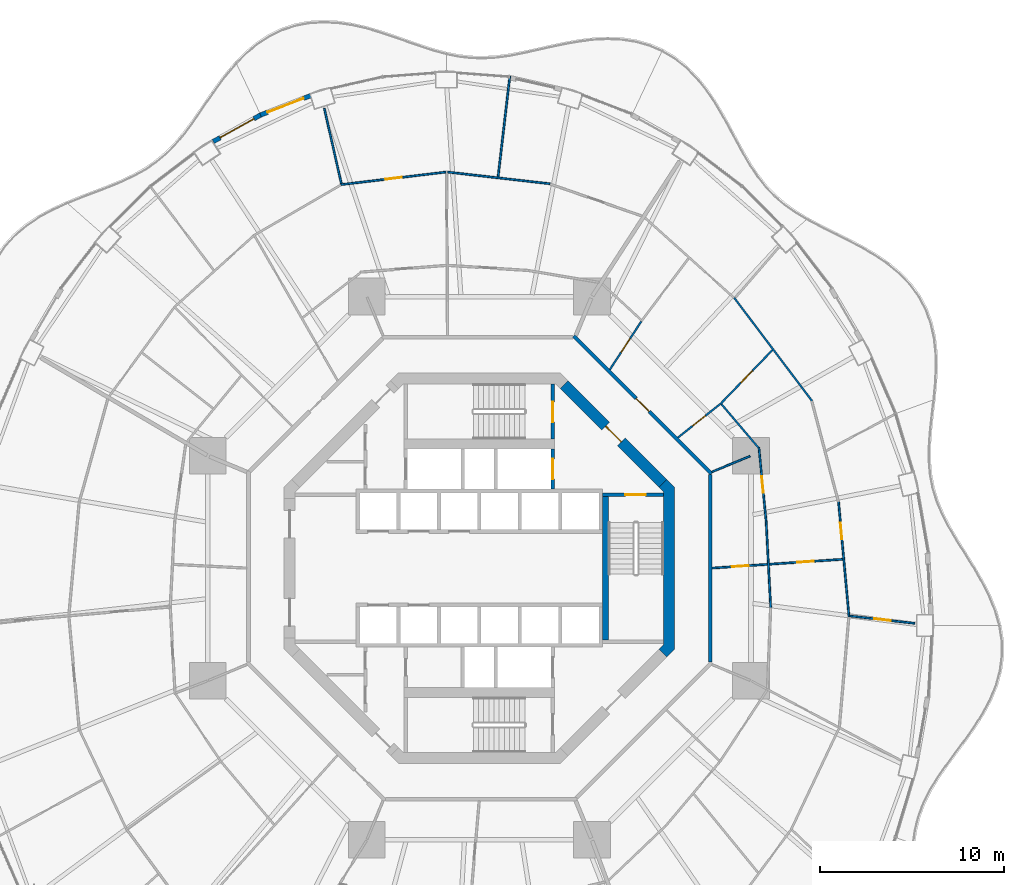
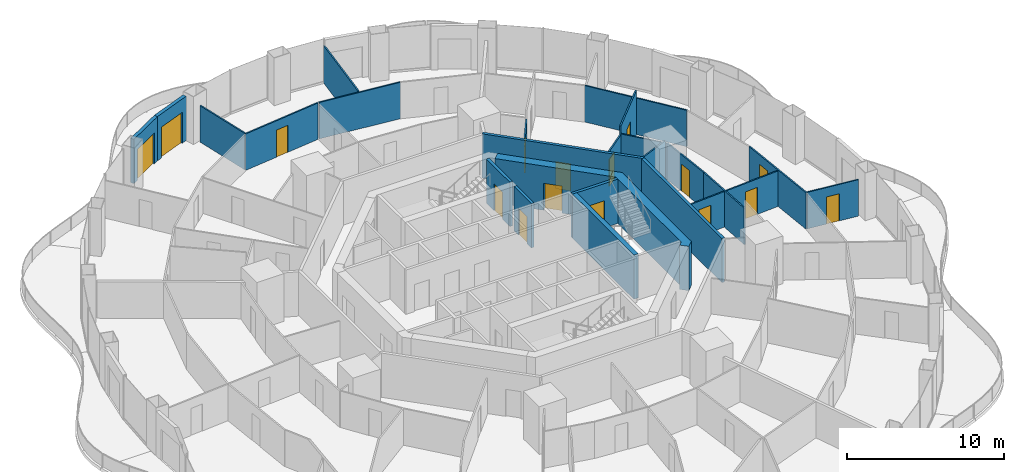
# One storey, part 15 of 19: 25 walls, 16 doors, 16 openings.
"""IFC4 building model written with IfcOpenShell, lengths in metres."""

from ifc_helpers import new_model, si_unit, direction, frame, frame_2d, origin, place, context, subcontext, project, spatial, polyline, rectangle, outline, extrude, material, layer, layer_set, type_object, element, fill, save


model = new_model("IFC4")

# Units and contexts
model_context = context("Model", 3, precision=1e-05, world=origin(), true_north=direction((0.0, 1.0)))
body_context = subcontext(model_context, "Body", "Model", "MODEL_VIEW")
ifc_project = project(units=[si_unit("LENGTHUNIT", "METRE"), si_unit("AREAUNIT", "SQUARE_METRE"), si_unit("VOLUMEUNIT", "CUBIC_METRE"), si_unit("PLANEANGLEUNIT", "RADIAN"), si_unit("MASSUNIT", "GRAM", prefix="KILO")], contexts=[model_context])

# Site, building, storey
site_placement = place(None, origin())
site = spatial("IfcSite", under=ifc_project, at=site_placement, CompositionType="ELEMENT")
building_placement = place(site_placement, origin())
building = spatial("IfcBuilding", under=site, at=building_placement, Name="Nagisa Residences", CompositionType="ELEMENT")
storey_placement = place(building_placement, frame((0.0, 0.0, 127.0)))
storey = spatial("IfcBuildingStorey", under=building, at=storey_placement, Name="L31", CompositionType="ELEMENT", Elevation=127.0)

# Wall
ifc_material_1 = material(Name="Gypsum board on steel studs", Category="steel")
ifc_layer_1 = layer(ifc_material_1, 0.199951171875)
ifc_layer_set_1 = layer_set([ifc_layer_1], Name="Apartment entry wall EI60 200")
wall_type_1 = type_object("IfcWallType", Name="Apartment entry wall EI60 200", PredefinedType="PARTITIONING", material=ifc_layer_set_1)
wall_1_placement = place(storey_placement, frame((12.564697265625, -5.1044921875, 0.0), z_axis=(0.0, 0.0, 1.0), x_axis=(0.0, 1.0, 0.0)))
element("IfcWall", 1, at=wall_1_placement, inside=storey, type_object=wall_type_1, Name="wall:L31:u06", PredefinedType="PARTITIONING", context=body_context, shape_type="SweptSolid", body=[
    extrude(rectangle(XDim=10.208984375, YDim=0.199951171875, at=frame_2d((5.1044921875, 0.0))), origin(), (0.0, 0.0, 1.0), 3.43994140625),
])

# Wall, opening, door
wall_2_placement = place(storey_placement, frame((12.635498046875, 5.1337890625, 0.0), z_axis=(0.0, 0.0, 1.0), x_axis=(-0.707106781187, 0.707106781187, 0.0)))
wall_2 = element("IfcWall", 2, at=wall_2_placement, inside=storey, type_object=wall_type_1, Name="wall:L31:u07", PredefinedType="PARTITIONING", context=body_context, shape_type="SweptSolid", body=[
    extrude(rectangle(XDim=10.609130859375, YDim=0.199951171875, at=frame_2d((5.3046875, 0.0))), origin(), (0.0, 0.0, 1.0), 3.43994140625),
])
opening_1_placement = place(wall_2_placement, frame((4.804443359375, 0.0, 0.0)))
opening_1 = element("IfcOpeningElement", 3, at=opening_1_placement, cuts=wall_2, Name="Opening L31-U35", PredefinedType="OPENING", context=body_context, shape_type="SweptSolid", body=[
    extrude(rectangle(XDim=1.0, YDim=2.10009765625, at=frame_2d((0.5, 1.050048828125))), frame((0.0, 0.10986328125, 0.0), z_axis=(0.0, -1.0, 0.0), x_axis=(1.0, 0.0, 0.0)), (0.0, 0.0, 1.0), 0.219970703125),
])
ifc_material_2 = material(Name="Timber fire door set", Category="wood")
door_type_1 = type_object("IfcDoorType", Name="Apartment entry door FD30S 1000x2100", OperationType="NOTDEFINED", PredefinedType="DOOR", material=ifc_material_2)
door_1_placement = place(opening_1_placement, frame((1.0, 0.0, 0.0), x_axis=(-1.0, 0.0, 0.0)))
door_1 = element("IfcDoor", 4, at=door_1_placement, inside=storey, type_object=door_type_1, Name="Entry door, Apartment 31C", OperationType="SINGLE_SWING_RIGHT", OverallHeight=2.10009765625, OverallWidth=1.0, PredefinedType="DOOR", context=body_context, shape_type="SweptSolid", body=[
    extrude(rectangle(XDim=1.0, YDim=2.10009765625, at=frame_2d((0.5, 1.050048828125))), frame((0.0, 0.02490234375, 0.0), z_axis=(0.0, -1.0, 0.0), x_axis=(1.0, 0.0, 0.0)), (0.0, 0.0, 1.0), 0.050048828125),
])
fill(opening_1, door_1)

# Wall
ifc_material_3 = material(Name="Gypsum board on steel studs", Category="steel")
ifc_layer_2 = layer(ifc_material_3, 0.10009765625)
ifc_layer_set_2 = layer_set([ifc_layer_2], Name="Apartment partition 100")
wall_type_2 = type_object("IfcWallType", Name="Apartment partition 100", PredefinedType="PARTITIONING", material=ifc_layer_set_2)
wall_3_placement = place(storey_placement, frame((15.853271484375, -2.158203125, 0.0), z_axis=(0.0, 0.0, 1.0), x_axis=(-0.052483289253, 0.99862180246, 0.0)))
element("IfcWall", 5, at=wall_3_placement, inside=storey, type_object=wall_type_2, Name="wall:L31:u14", PredefinedType="PARTITIONING", context=body_context, shape_type="SweptSolid", body=[
    extrude(rectangle(XDim=4.74951171875, YDim=0.10009765625, at=frame_2d((2.374755859375, 0.0))), origin(), (0.0, 0.0, 1.0), 2.827880859375),
])

# Wall, opening, door
wall_4_placement = place(storey_placement, frame((20.159912109375, -2.597900390625, 0.0), z_axis=(0.0, 0.0, 1.0), x_axis=(0.993610673305, -0.112861994911, 0.0)))
wall_4 = element("IfcWall", 6, at=wall_4_placement, inside=storey, type_object=wall_type_2, Name="wall:L31:u16", PredefinedType="PARTITIONING", context=body_context, shape_type="SweptSolid", body=[
    extrude(rectangle(XDim=3.560546875, YDim=0.10009765625, at=frame_2d((1.7802734375, 0.0))), origin(), (0.0, 0.0, 1.0), 2.827880859375),
])
opening_2_placement = place(wall_4_placement, frame((1.330322265625, 0.0, 0.0)))
opening_2 = element("IfcOpeningElement", 7, at=opening_2_placement, cuts=wall_4, Name="Opening L31-U45", PredefinedType="OPENING", context=body_context, shape_type="SweptSolid", body=[
    extrude(rectangle(XDim=0.89990234375, YDim=2.10009765625, at=frame_2d((0.449951171875, 1.050048828125))), frame((0.0, 0.06005859375, 0.0), z_axis=(0.0, -1.0, 0.0), x_axis=(1.0, 0.0, 0.0)), (0.0, 0.0, 1.0), 0.1201171875),
])
ifc_material_4 = material(Name="Timber door set", Category="wood")
door_type_2 = type_object("IfcDoorType", Name="Apartment door 900x2100", OperationType="NOTDEFINED", PredefinedType="DOOR", material=ifc_material_4)
door_2_placement = place(opening_2_placement, frame((0.89990234375, 0.0, 0.0), x_axis=(-1.0, 0.0, 0.0)))
door_2 = element("IfcDoor", 8, at=door_2_placement, inside=storey, type_object=door_type_2, Name="Door to living room, Apartment 31C", OperationType="SINGLE_SWING_RIGHT", OverallHeight=2.10009765625, OverallWidth=0.89990234375, PredefinedType="DOOR", context=body_context, shape_type="SweptSolid", body=[
    extrude(rectangle(XDim=0.89990234375, YDim=2.10009765625, at=frame_2d((0.449951171875, 1.050048828125))), frame((0.0, 0.02490234375, 0.0), z_axis=(0.0, -1.0, 0.0), x_axis=(1.0, 0.0, 0.0)), (0.0, 0.0, 1.0), 0.050048828125),
])
fill(opening_2, door_2)

wall_5_placement = place(storey_placement, frame((20.11474609375, -2.64208984375, 0.0), z_axis=(0.0, 0.0, 1.0), x_axis=(-0.090563746294, 0.995890660593, 0.0)))
wall_5 = element("IfcWall", 9, at=wall_5_placement, inside=storey, type_object=wall_type_2, Name="wall:L31:u17", PredefinedType="PARTITIONING", context=body_context, shape_type="SweptSolid", body=[
    extrude(rectangle(XDim=6.289306640625, YDim=0.10009765625, at=frame_2d((3.14453125, 0.0))), origin(), (0.0, 0.0, 1.0), 2.827880859375),
])
opening_3_placement = place(wall_5_placement, frame((4.241943359375, 0.0, 0.0)))
opening_3 = element("IfcOpeningElement", 10, at=opening_3_placement, cuts=wall_5, Name="Opening L31-U40", PredefinedType="OPENING", context=body_context, shape_type="SweptSolid", body=[
    extrude(rectangle(XDim=0.89990234375, YDim=2.10009765625, at=frame_2d((0.449951171875, 1.050048828125))), frame((0.0, 0.06005859375, 0.0), z_axis=(0.0, -1.0, 0.0), x_axis=(1.0, 0.0, 0.0)), (0.0, 0.0, 1.0), 0.1201171875),
])
door_3_placement = place(opening_3_placement, frame((0.89990234375, 0.0, 0.0), x_axis=(-1.0, 0.0, 0.0)))
door_3 = element("IfcDoor", 11, at=door_3_placement, inside=storey, type_object=door_type_2, Name="Door to dining room, Apartment 31C", OperationType="SINGLE_SWING_LEFT", OverallHeight=2.10009765625, OverallWidth=0.89990234375, PredefinedType="DOOR", context=body_context, shape_type="SweptSolid", body=[
    extrude(rectangle(XDim=0.89990234375, YDim=2.10009765625, at=frame_2d((0.449951171875, 1.050048828125))), frame((0.0, 0.02490234375, 0.0), z_axis=(0.0, -1.0, 0.0), x_axis=(1.0, 0.0, 0.0)), (0.0, 0.0, 1.0), 0.050048828125),
])
fill(opening_3, door_3)

# Wall, openings, doors
wall_6_placement = place(storey_placement, frame((12.66455078125, 0.0068359375, 0.0), z_axis=(0.0, 0.0, 1.0), x_axis=(0.997737186236, 0.067234717233, 0.0)))
wall_6 = element("IfcWall", 12, at=wall_6_placement, inside=storey, type_object=wall_type_2, Name="wall:L31:u19", PredefinedType="PARTITIONING", context=body_context, shape_type="SweptSolid", body=[
    extrude(rectangle(XDim=7.131591796875, YDim=0.10009765625, at=frame_2d((3.56591796875, 0.0))), origin(), (0.0, 0.0, 1.0), 2.756103515625),
])
opening_4_placement = place(wall_6_placement, frame((4.6513671875, 0.0, 0.0)))
opening_4 = element("IfcOpeningElement", 13, at=opening_4_placement, cuts=wall_6, Name="Opening L31-U44", PredefinedType="OPENING", context=body_context, shape_type="SweptSolid", body=[
    extrude(rectangle(XDim=0.89990234375, YDim=2.10009765625, at=frame_2d((0.449951171875, 1.050048828125))), frame((0.0, 0.06005859375, 0.0), z_axis=(0.0, -1.0, 0.0), x_axis=(1.0, 0.0, 0.0)), (0.0, 0.0, 1.0), 0.1201171875),
])
opening_5_placement = place(wall_6_placement, frame((1.08544921875, 0.0, 0.0)))
opening_5 = element("IfcOpeningElement", 14, at=opening_5_placement, cuts=wall_6, Name="Opening L31-U46", PredefinedType="OPENING", context=body_context, shape_type="SweptSolid", body=[
    extrude(rectangle(XDim=0.89990234375, YDim=2.10009765625, at=frame_2d((0.449951171875, 1.050048828125))), frame((0.0, 0.06005859375, 0.0), z_axis=(0.0, -1.0, 0.0), x_axis=(1.0, 0.0, 0.0)), (0.0, 0.0, 1.0), 0.1201171875),
])
door_4_placement = place(opening_4_placement, frame((0.89990234375, 0.0, 0.0), x_axis=(-1.0, 0.0, 0.0)))
door_4 = element("IfcDoor", 15, at=door_4_placement, inside=storey, type_object=door_type_2, Name="Door to study, Apartment 31C", OperationType="SINGLE_SWING_LEFT", OverallHeight=2.10009765625, OverallWidth=0.89990234375, PredefinedType="DOOR", context=body_context, shape_type="SweptSolid", body=[
    extrude(rectangle(XDim=0.89990234375, YDim=2.10009765625, at=frame_2d((0.449951171875, 1.050048828125))), frame((0.0, 0.02490234375, 0.0), z_axis=(0.0, -1.0, 0.0), x_axis=(1.0, 0.0, 0.0)), (0.0, 0.0, 1.0), 0.050048828125),
])
fill(opening_4, door_4)
door_5_placement = place(opening_5_placement, frame((0.89990234375, 0.0, 0.0), x_axis=(-1.0, 0.0, 0.0)))
door_5 = element("IfcDoor", 16, at=door_5_placement, inside=storey, type_object=door_type_2, Name="Door to store, Apartment 31C", OperationType="SINGLE_SWING_LEFT", OverallHeight=2.10009765625, OverallWidth=0.89990234375, PredefinedType="DOOR", context=body_context, shape_type="SweptSolid", body=[
    extrude(rectangle(XDim=0.89990234375, YDim=2.10009765625, at=frame_2d((0.449951171875, 1.050048828125))), frame((0.0, 0.02490234375, 0.0), z_axis=(0.0, -1.0, 0.0), x_axis=(1.0, 0.0, 0.0)), (0.0, 0.0, 1.0), 0.050048828125),
])
fill(opening_5, door_5)

# Wall, opening, door
wall_7_placement = place(storey_placement, frame((15.601806640625, 2.58447265625, 0.0), z_axis=(0.0, 0.0, 1.0), x_axis=(-0.097216297846, 0.995263277446, 0.0)))
wall_7 = element("IfcWall", 17, at=wall_7_placement, inside=storey, type_object=wall_type_2, Name="wall:L31:u20", PredefinedType="PARTITIONING", context=body_context, shape_type="SweptSolid", body=[
    extrude(rectangle(XDim=4.005615234375, YDim=0.10009765625, at=frame_2d((2.0029296875, 0.0))), origin(), (0.0, 0.0, 1.0), 2.827880859375),
])
opening_6_placement = place(wall_7_placement, frame((1.52783203125, 0.0, 0.0)))
opening_6 = element("IfcOpeningElement", 18, at=opening_6_placement, cuts=wall_7, Name="Opening L31-U43", PredefinedType="OPENING", context=body_context, shape_type="SweptSolid", body=[
    extrude(rectangle(XDim=0.89990234375, YDim=2.10009765625, at=frame_2d((0.449951171875, 1.050048828125))), frame((0.0, 0.06005859375, 0.0), z_axis=(0.0, -1.0, 0.0), x_axis=(1.0, 0.0, 0.0)), (0.0, 0.0, 1.0), 0.1201171875),
])
door_6_placement = place(opening_6_placement, origin())
door_6 = element("IfcDoor", 19, at=door_6_placement, inside=storey, type_object=door_type_2, Name="Door to laundry, Apartment 31C", OperationType="SINGLE_SWING_LEFT", OverallHeight=2.10009765625, OverallWidth=0.89990234375, PredefinedType="DOOR", context=body_context, shape_type="SweptSolid", body=[
    extrude(rectangle(XDim=0.89990234375, YDim=2.10009765625, at=frame_2d((0.449951171875, 1.050048828125))), frame((0.0, 0.02490234375, 0.0), z_axis=(0.0, -1.0, 0.0), x_axis=(1.0, 0.0, 0.0)), (0.0, 0.0, 1.0), 0.050048828125),
])
fill(opening_6, door_6)

# Walls
wall_8_placement = place(storey_placement, frame((12.6572265625, 5.24267578125, 0.0), z_axis=(0.0, 0.0, 1.0), x_axis=(0.923864733477, 0.382719158442, 0.0)))
element("IfcWall", 20, at=wall_8_placement, inside=storey, type_object=wall_type_2, Name="wall:L31:u23", PredefinedType="PARTITIONING", context=body_context, shape_type="SweptSolid", body=[
    extrude(rectangle(XDim=2.25, YDim=0.10009765625, at=frame_2d((1.125, 0.0))), origin(), (0.0, 0.0, 1.0), 3.43994140625),
])
wall_9_placement = place(storey_placement, frame((15.184814453125, 6.559326171875, 0.0), z_axis=(0.0, 0.0, 1.0), x_axis=(-0.647360926376, 0.762183594026, 0.0)))
element("IfcWall", 21, at=wall_9_placement, inside=storey, type_object=wall_type_2, Name="wall:L31:u24", PredefinedType="PARTITIONING", context=body_context, shape_type="SweptSolid", body=[
    extrude(rectangle(XDim=3.1064453125, YDim=0.10009765625, at=frame_2d((1.55322265625, 0.0))), origin(), (0.0, 0.0, 1.0), 2.827880859375),
])
wall_10_placement = place(storey_placement, frame((18.106201171875, 9.098388671875, 0.0), z_axis=(0.0, 0.0, 1.0), x_axis=(-0.602398572907, 0.798195439325, 0.0)))
element("IfcWall", 22, at=wall_10_placement, inside=storey, type_object=wall_type_2, Name="wall:L31:u25", PredefinedType="PARTITIONING", context=body_context, shape_type="SweptSolid", body=[
    extrude(rectangle(XDim=7.043701171875, YDim=0.10009765625, at=frame_2d((3.52197265625, 0.0))), origin(), (0.0, 0.0, 1.0), 2.827880859375),
])

# Wall, opening, door
wall_11_placement = place(storey_placement, frame((10.802978515625, 7.106689453125, 0.0), z_axis=(0.0, 0.0, 1.0), x_axis=(0.782908385935, 0.622137010017, 0.0)))
wall_11 = element("IfcWall", 23, at=wall_11_placement, inside=storey, type_object=wall_type_2, Name="wall:L31:u26", PredefinedType="PARTITIONING", context=body_context, shape_type="SweptSolid", body=[
    extrude(rectangle(XDim=2.93701171875, YDim=0.10009765625, at=frame_2d((1.468505859375, 0.0))), origin(), (0.0, 0.0, 1.0), 2.756103515625),
])
opening_7_placement = place(wall_11_placement, frame((1.0185546875, 0.0, 0.0)))
opening_7 = element("IfcOpeningElement", 24, at=opening_7_placement, cuts=wall_11, Name="Opening L31-U36", PredefinedType="OPENING", context=body_context, shape_type="SweptSolid", body=[
    extrude(rectangle(XDim=0.89990234375, YDim=2.10009765625, at=frame_2d((0.449951171875, 1.050048828125))), frame((0.0, 0.06005859375, 0.0), z_axis=(0.0, -1.0, 0.0), x_axis=(1.0, 0.0, 0.0)), (0.0, 0.0, 1.0), 0.1201171875),
])
door_7_placement = place(opening_7_placement, frame((0.89990234375, 0.0, 0.0), x_axis=(-1.0, 0.0, 0.0)))
door_7 = element("IfcDoor", 25, at=door_7_placement, inside=storey, type_object=door_type_2, Name="Door to family bathroom, Apartment 31C", OperationType="SINGLE_SWING_LEFT", OverallHeight=2.10009765625, OverallWidth=0.89990234375, PredefinedType="DOOR", context=body_context, shape_type="SweptSolid", body=[
    extrude(rectangle(XDim=0.89990234375, YDim=2.10009765625, at=frame_2d((0.449951171875, 1.050048828125))), frame((0.0, 0.02490234375, 0.0), z_axis=(0.0, -1.0, 0.0), x_axis=(1.0, 0.0, 0.0)), (0.0, 0.0, 1.0), 0.050048828125),
])
fill(opening_7, door_7)

wall_12_placement = place(storey_placement, frame((13.106689453125, 8.928955078125, 0.0), z_axis=(0.0, 0.0, 1.0), x_axis=(0.694592384931, 0.719403515974, 0.0)))
wall_12 = element("IfcWall", 26, at=wall_12_placement, inside=storey, type_object=wall_type_2, Name="wall:L31:u27", PredefinedType="PARTITIONING", context=body_context, shape_type="SweptSolid", body=[
    extrude(rectangle(XDim=4.093505859375, YDim=0.10009765625, at=frame_2d((2.046875, 0.0))), origin(), (0.0, 0.0, 1.0), 3.43994140625),
])
opening_8_placement = place(wall_12_placement, frame((1.62158203125, 0.0, 0.0)))
opening_8 = element("IfcOpeningElement", 27, at=opening_8_placement, cuts=wall_12, Name="Opening L31-U38", PredefinedType="OPENING", context=body_context, shape_type="SweptSolid", body=[
    extrude(rectangle(XDim=0.89990234375, YDim=2.10009765625, at=frame_2d((0.449951171875, 1.050048828125))), frame((0.0, 0.06005859375, 0.0), z_axis=(0.0, -1.0, 0.0), x_axis=(1.0, 0.0, 0.0)), (0.0, 0.0, 1.0), 0.1201171875),
])
door_8_placement = place(opening_8_placement, frame((0.89990234375, 0.0, 0.0), x_axis=(-1.0, 0.0, 0.0)))
door_8 = element("IfcDoor", 28, at=door_8_placement, inside=storey, type_object=door_type_2, Name="Door to dining room, Apartment 31C", OperationType="SINGLE_SWING_LEFT", OverallHeight=2.10009765625, OverallWidth=0.89990234375, PredefinedType="DOOR", context=body_context, shape_type="SweptSolid", body=[
    extrude(rectangle(XDim=0.89990234375, YDim=2.10009765625, at=frame_2d((0.449951171875, 1.050048828125))), frame((0.0, 0.02490234375, 0.0), z_axis=(0.0, -1.0, 0.0), x_axis=(1.0, 0.0, 0.0)), (0.0, 0.0, 1.0), 0.050048828125),
])
fill(opening_8, door_8)

wall_13_placement = place(storey_placement, frame((7.09912109375, 10.808349609375, 0.0), z_axis=(0.0, 0.0, 1.0), x_axis=(0.546709757921, 0.837322184463, 0.0)))
wall_13 = element("IfcWall", 29, at=wall_13_placement, inside=storey, type_object=wall_type_2, Name="wall:L31:u30", PredefinedType="PARTITIONING", context=body_context, shape_type="SweptSolid", body=[
    extrude(rectangle(XDim=3.133544921875, YDim=0.10009765625, at=frame_2d((1.56689453125, 0.0))), origin(), (0.0, 0.0, 1.0), 2.756103515625),
])
opening_9_placement = place(wall_13_placement, frame((1.11669921875, 0.0, 0.0)))
opening_9 = element("IfcOpeningElement", 30, at=opening_9_placement, cuts=wall_13, Name="Opening L31-U37", PredefinedType="OPENING", context=body_context, shape_type="SweptSolid", body=[
    extrude(rectangle(XDim=0.89990234375, YDim=2.10009765625, at=frame_2d((0.449951171875, 1.050048828125))), frame((0.0, 0.06005859375, 0.0), z_axis=(0.0, -1.0, 0.0), x_axis=(1.0, 0.0, 0.0)), (0.0, 0.0, 1.0), 0.1201171875),
])
door_9_placement = place(opening_9_placement, origin())
door_9 = element("IfcDoor", 31, at=door_9_placement, inside=storey, type_object=door_type_2, Name="Door to family bathroom, Apartment 31C", OperationType="SINGLE_SWING_LEFT", OverallHeight=2.10009765625, OverallWidth=0.89990234375, PredefinedType="DOOR", context=body_context, shape_type="SweptSolid", body=[
    extrude(rectangle(XDim=0.89990234375, YDim=2.10009765625, at=frame_2d((0.449951171875, 1.050048828125))), frame((0.0, 0.02490234375, 0.0), z_axis=(0.0, -1.0, 0.0), x_axis=(1.0, 0.0, 0.0)), (0.0, 0.0, 1.0), 0.050048828125),
])
fill(opening_9, door_9)

# Walls
wall_14_placement = place(storey_placement, frame((3.850830078125, 20.9189453125, 0.0), z_axis=(0.0, 0.0, 1.0), x_axis=(-0.993519908136, 0.11365822512, 0.0)))
element("IfcWall", 32, at=wall_14_placement, inside=storey, type_object=wall_type_2, Name="wall:L31:u36", PredefinedType="PARTITIONING", context=body_context, shape_type="SweptSolid", body=[
    extrude(rectangle(XDim=5.61279296875, YDim=0.10009765625, at=frame_2d((2.806396484375, 0.0))), origin(), (0.0, 0.0, 1.0), 2.827880859375),
])
wall_15_placement = place(storey_placement, frame((1.018798828125, 21.293212890625, 0.0), z_axis=(0.0, 0.0, 1.0), x_axis=(0.11589741608, 0.993261188684, 0.0)))
element("IfcWall", 33, at=wall_15_placement, inside=storey, type_object=wall_type_2, Name="wall:L31:u37", PredefinedType="PARTITIONING", context=body_context, shape_type="SweptSolid", body=[
    extrude(rectangle(XDim=5.523193359375, YDim=0.10009765625, at=frame_2d((2.76171875, 0.0))), origin(), (0.0, 0.0, 1.0), 2.905029296875),
])

# Wall, opening, door
wall_16_placement = place(storey_placement, frame((-1.824951171875, 21.556640625, 0.0), z_axis=(0.0, 0.0, 1.0), x_axis=(-0.992915657947, -0.118821278412, 0.0)))
wall_16 = element("IfcWall", 34, at=wall_16_placement, inside=storey, type_object=wall_type_2, Name="wall:L31:u40", PredefinedType="PARTITIONING", context=body_context, shape_type="SweptSolid", body=[
    extrude(rectangle(XDim=5.765380859375, YDim=0.10009765625, at=frame_2d((2.8828125, 0.0))), origin(), (0.0, 0.0, 1.0), 2.827880859375),
])
opening_10_placement = place(wall_16_placement, frame((2.40771484375, 0.0, 0.0)))
opening_10 = element("IfcOpeningElement", 35, at=opening_10_placement, cuts=wall_16, Name="Opening L31-U06", PredefinedType="OPENING", context=body_context, shape_type="SweptSolid", body=[
    extrude(rectangle(XDim=0.89990234375, YDim=2.10009765625, at=frame_2d((0.449951171875, 1.050048828125))), frame((0.0, 0.06005859375, 0.0), z_axis=(0.0, -1.0, 0.0), x_axis=(1.0, 0.0, 0.0)), (0.0, 0.0, 1.0), 0.1201171875),
])
door_10_placement = place(opening_10_placement, frame((0.89990234375, 0.0, 0.0), x_axis=(-1.0, 0.0, 0.0)))
door_10 = element("IfcDoor", 36, at=door_10_placement, inside=storey, type_object=door_type_2, Name="Door to master bedroom, Apartment 31A", OperationType="SINGLE_SWING_LEFT", OverallHeight=2.10009765625, OverallWidth=0.89990234375, PredefinedType="DOOR", context=body_context, shape_type="SweptSolid", body=[
    extrude(rectangle(XDim=0.89990234375, YDim=2.10009765625, at=frame_2d((0.449951171875, 1.050048828125))), frame((0.0, 0.02490234375, 0.0), z_axis=(0.0, -1.0, 0.0), x_axis=(1.0, 0.0, 0.0)), (0.0, 0.0, 1.0), 0.050048828125),
])
fill(opening_10, door_10)

# Wall
wall_17_placement = place(storey_placement, frame((-7.5107421875, 20.926513671875, 0.0), z_axis=(0.0, 0.0, 1.0), x_axis=(-0.220337559031, 0.975423682345, 0.0)))
element("IfcWall", 37, at=wall_17_placement, inside=storey, type_object=wall_type_2, Name="wall:L31:u43", PredefinedType="PARTITIONING", context=body_context, shape_type="SweptSolid", body=[
    extrude(rectangle(XDim=4.20166015625, YDim=0.10009765625, at=frame_2d((2.100830078125, 0.0))), origin(), (0.0, 0.0, 1.0), 2.827880859375),
])

# Wall, opening, door
ifc_material_5 = material(Name="Precast concrete C40/50", Category="concrete")
ifc_layer_3 = layer(ifc_material_5, 0.25)
ifc_layer_set_3 = layer_set([ifc_layer_3], Name="BALCONY DOOR WALL 250")
wall_type_3 = type_object("IfcWallType", Name="BALCONY DOOR WALL 250", PredefinedType="SOLIDWALL", material=ifc_layer_set_3)
wall_18_placement = place(storey_placement, frame((-11.909423828125, 24.662353515625, 0.0), z_axis=(0.0, 0.0, 1.0), x_axis=(0.932845344347, 0.360277064952, 0.0)))
wall_18 = element("IfcWall", 38, at=wall_18_placement, inside=storey, type_object=wall_type_3, Name="wall:L31:bay14", PredefinedType="SOLIDWALL", context=body_context, shape_type="SweptSolid", body=[
    extrude(rectangle(XDim=2.92333984375, YDim=0.25, at=frame_2d((1.461669921875, 0.0))), origin(), (0.0, 0.0, 1.0), 3.43994140625),
])
opening_11_placement = place(wall_18_placement, frame((0.41162109375, 0.0, 0.0)))
opening_11 = element("IfcOpeningElement", 39, at=opening_11_placement, cuts=wall_18, Name="Opening BD-L31-05", PredefinedType="OPENING", context=body_context, shape_type="SweptSolid", body=[
    extrude(rectangle(XDim=2.10009765625, YDim=2.39990234375, at=frame_2d((1.050048828125, 1.199951171875))), frame((0.0, 0.135009765625, 0.0), z_axis=(0.0, -1.0, 0.0), x_axis=(1.0, 0.0, 0.0)), (0.0, 0.0, 1.0), 0.27001953125),
])
ifc_material_6 = material(Name="Aluminium and clear glass", Category="aluminium")
door_type_3 = type_object("IfcDoorType", Name="BALCONY SLIDING DOOR 2100x2400", OperationType="SLIDING_TO_LEFT", PredefinedType="DOOR", material=ifc_material_6)
door_11_placement = place(opening_11_placement, origin())
door_11 = element("IfcDoor", 40, at=door_11_placement, inside=storey, type_object=door_type_3, Name="door:L31:bay14", OperationType="SLIDING_TO_LEFT", OverallHeight=2.39990234375, OverallWidth=2.10009765625, PredefinedType="DOOR", context=body_context, shape_type="SweptSolid", body=[
    extrude(rectangle(XDim=2.10009765625, YDim=2.39990234375, at=frame_2d((1.050048828125, 1.199951171875))), frame((0.0, 0.02490234375, 0.0), z_axis=(0.0, -1.0, 0.0), x_axis=(1.0, 0.0, 0.0)), (0.0, 0.0, 1.0), 0.050048828125),
])
fill(opening_11, door_11)

wall_19_placement = place(storey_placement, frame((-14.483154296875, 23.216552734375, 0.0), z_axis=(0.0, 0.0, 1.0), x_axis=(0.87206688547, 0.489386705241, 0.0)))
wall_19 = element("IfcWall", 41, at=wall_19_placement, inside=storey, type_object=wall_type_3, Name="wall:L31:bay15", PredefinedType="SOLIDWALL", context=body_context, shape_type="SweptSolid", body=[
    extrude(rectangle(XDim=2.9697265625, YDim=0.25, at=frame_2d((1.48486328125, 0.0))), origin(), (0.0, 0.0, 1.0), 3.43994140625),
])
opening_12_placement = place(wall_19_placement, frame((0.434814453125, 0.0, 0.0)))
opening_12 = element("IfcOpeningElement", 42, at=opening_12_placement, cuts=wall_19, Name="Opening BD-L31-06", PredefinedType="OPENING", context=body_context, shape_type="SweptSolid", body=[
    extrude(rectangle(XDim=2.10009765625, YDim=2.39990234375, at=frame_2d((1.050048828125, 1.199951171875))), frame((0.0, 0.135009765625, 0.0), z_axis=(0.0, -1.0, 0.0), x_axis=(1.0, 0.0, 0.0)), (0.0, 0.0, 1.0), 0.27001953125),
])
door_12_placement = place(opening_12_placement, origin())
door_12 = element("IfcDoor", 43, at=door_12_placement, inside=storey, type_object=door_type_3, Name="door:L31:bay15", OperationType="SLIDING_TO_LEFT", OverallHeight=2.39990234375, OverallWidth=2.10009765625, PredefinedType="DOOR", context=body_context, shape_type="SweptSolid", body=[
    extrude(rectangle(XDim=2.10009765625, YDim=2.39990234375, at=frame_2d((1.050048828125, 1.199951171875))), frame((0.0, 0.02490234375, 0.0), z_axis=(0.0, -1.0, 0.0), x_axis=(1.0, 0.0, 0.0)), (0.0, 0.0, 1.0), 0.050048828125),
])
fill(opening_12, door_12)

ifc_material_7 = material(Name="Concrete C60", Category="concrete")
ifc_layer_4 = layer(ifc_material_7, 0.60009765625)
ifc_layer_set_4 = layer_set([ifc_layer_4], Name="Core shear wall 600")
wall_type_4 = type_object("IfcWallType", Name="Core shear wall 600", PredefinedType="SHEAR", material=ifc_layer_set_4)
wall_20_placement = place(storey_placement, frame((9.98828125, 4.613037109375, 0.0), z_axis=(0.0, 0.0, 1.0), x_axis=(-0.707106781187, 0.707106781187, 0.0)))
wall_20 = element("IfcWall", 44, at=wall_20_placement, inside=storey, type_object=wall_type_4, Name="wall:L31:core:flat1", PredefinedType="SHEAR", context=body_context, shape_type="SweptSolid", body=[
    extrude(rectangle(XDim=7.601806640625, YDim=0.60009765625, at=frame_2d((3.80078125, 0.0))), origin(), (0.0, 0.0, 1.0), 3.43994140625),
])
opening_13_placement = place(wall_20_placement, frame((3.200927734375, 0.0, 0.0)))
opening_13 = element("IfcOpeningElement", 45, at=opening_13_placement, cuts=wall_20, Name="Opening L31-C17", PredefinedType="OPENING", context=body_context, shape_type="SweptSolid", body=[
    extrude(rectangle(XDim=1.199951171875, YDim=2.10009765625, at=frame_2d((0.60009765625, 1.050048828125))), frame((0.0, 0.31005859375, 0.0), z_axis=(0.0, -1.0, 0.0), x_axis=(1.0, 0.0, 0.0)), (0.0, 0.0, 1.0), 0.6201171875),
])
ifc_material_8 = material(Name="Steel fire door", Category="steel")
door_type_4 = type_object("IfcDoorType", Name="Fire door EI60 1200x2100 single swing", OperationType="NOTDEFINED", PredefinedType="DOOR", material=ifc_material_8)
door_13_placement = place(opening_13_placement, origin())
door_13 = element("IfcDoor", 46, at=door_13_placement, inside=storey, type_object=door_type_4, Name="Firefighting lobby 1 door L31", OperationType="SINGLE_SWING_RIGHT", OverallHeight=2.10009765625, OverallWidth=1.199951171875, PredefinedType="DOOR", context=body_context, shape_type="SweptSolid", body=[
    extrude(rectangle(XDim=1.199951171875, YDim=2.10009765625, at=frame_2d((0.60009765625, 1.050048828125))), frame((0.0, 0.02490234375, 0.0), z_axis=(0.0, -1.0, 0.0), x_axis=(1.0, 0.0, 0.0)), (0.0, 0.0, 1.0), 0.050048828125),
])
fill(opening_13, door_13)

# Wall
wall_21_placement = place(storey_placement, origin())
element("IfcWall", 47, at=wall_21_placement, inside=storey, type_object=wall_type_4, Name="wall:L31:core:flat0", PredefinedType="SHEAR", context=body_context, shape_type="SweptSolid", body=[
    extrude(outline(polyline([(9.776123046875, -4.40087890625), (10.024658203125, -4.15234375), (10.024658203125, -3.801025390625), (10.024658203125, 4.15234375), (9.776123046875, 4.40087890625), (10.200439453125, 4.8251953125), (10.62451171875, 4.40087890625), (10.62451171875, -4.40087890625), (10.200439453125, -4.8251953125), (9.776123046875, -4.40087890625)])), origin(), (0.0, 0.0, 1.0), 3.43994140625),
])

# Wall, opening, door
ifc_material_9 = material(Name="Concrete C60", Category="concrete")
ifc_layer_5 = layer(ifc_material_9, 0.199951171875)
ifc_layer_set_5 = layer_set([ifc_layer_5], Name="Lift shaft wall 200")
wall_type_5 = type_object("IfcWallType", Name="Lift shaft wall 200", PredefinedType="SOLIDWALL", material=ifc_layer_set_5)
wall_22_placement = place(storey_placement, frame((4.0, 4.300048828125, 0.0), z_axis=(0.0, 0.0, 1.0), x_axis=(0.0, 1.0, 0.0)))
wall_22 = element("IfcWall", 48, at=wall_22_placement, inside=storey, type_object=wall_type_5, Name="wall:L31:Nb3", PredefinedType="SOLIDWALL", context=body_context, shape_type="SweptSolid", body=[
    extrude(rectangle(XDim=2.199951171875, YDim=0.199951171875, at=frame_2d((1.10009765625, 0.0))), origin(), (0.0, 0.0, 1.0), 3.43994140625),
])
opening_14_placement = place(wall_22_placement, frame((0.550048828125, 0.0, 0.0)))
opening_14 = element("IfcOpeningElement", 49, at=opening_14_placement, cuts=wall_22, Name="Opening L31-C06", PredefinedType="OPENING", context=body_context, shape_type="SweptSolid", body=[
    extrude(rectangle(XDim=1.10009765625, YDim=2.10009765625, at=frame_2d((0.550048828125, 1.050048828125))), frame((0.0, 0.10986328125, 0.0), z_axis=(0.0, -1.0, 0.0), x_axis=(1.0, 0.0, 0.0)), (0.0, 0.0, 1.0), 0.219970703125),
])
ifc_material_10 = material(Name="Stainless steel", Category="steel")
door_type_5 = type_object("IfcDoorType", Name="Lift landing door 1100x2100", OperationType="DOUBLE_DOOR_SLIDING", PredefinedType="DOOR", material=ifc_material_10)
door_14_placement = place(opening_14_placement, origin())
door_14 = element("IfcDoor", 50, at=door_14_placement, inside=storey, type_object=door_type_5, Name="Landing door FL1 L31", OperationType="DOUBLE_DOOR_SLIDING", OverallHeight=2.10009765625, OverallWidth=1.10009765625, PredefinedType="DOOR", context=body_context, shape_type="SweptSolid", body=[
    extrude(rectangle(XDim=1.10009765625, YDim=2.10009765625, at=frame_2d((0.550048828125, 1.050048828125))), frame((0.0, 0.02490234375, 0.0), z_axis=(0.0, -1.0, 0.0), x_axis=(1.0, 0.0, 0.0)), (0.0, 0.0, 1.0), 0.050048828125),
])
fill(opening_14, door_14)

ifc_material_11 = material(Name="Concrete C60", Category="concrete")
ifc_layer_6 = layer(ifc_material_11, 0.199951171875)
ifc_layer_set_6 = layer_set([ifc_layer_6], Name="Stair enclosure wall 200")
wall_type_6 = type_object("IfcWallType", Name="Stair enclosure wall 200", PredefinedType="SOLIDWALL", material=ifc_layer_set_6)
wall_23_placement = place(storey_placement, frame((6.699951171875, 4.0, 0.0), z_axis=(0.0, 0.0, 1.0), x_axis=(1.0, 0.0, 0.0)))
wall_23 = element("IfcWall", 51, at=wall_23_placement, inside=storey, type_object=wall_type_6, Name="wall:L31:SE_n", PredefinedType="SOLIDWALL", context=body_context, shape_type="SweptSolid", body=[
    extrude(rectangle(XDim=3.32470703125, YDim=0.199951171875, at=frame_2d((1.662353515625, 0.0))), origin(), (0.0, 0.0, 1.0), 3.43994140625),
])
opening_15_placement = place(wall_23_placement, frame((1.25, 0.0, 0.0)))
opening_15 = element("IfcOpeningElement", 52, at=opening_15_placement, cuts=wall_23, Name="Opening L31-C09", PredefinedType="OPENING", context=body_context, shape_type="SweptSolid", body=[
    extrude(rectangle(XDim=1.10009765625, YDim=2.10009765625, at=frame_2d((0.550048828125, 1.050048828125))), frame((0.0, 0.10986328125, 0.0), z_axis=(0.0, -1.0, 0.0), x_axis=(1.0, 0.0, 0.0)), (0.0, 0.0, 1.0), 0.219970703125),
])
ifc_material_12 = material(Name="Steel fire door", Category="steel")
door_type_6 = type_object("IfcDoorType", Name="Fire door EI90 1100x2100 single swing", OperationType="NOTDEFINED", PredefinedType="DOOR", material=ifc_material_12)
door_15_placement = place(opening_15_placement, frame((1.10009765625, 0.0, 0.0), x_axis=(-1.0, 0.0, 0.0)))
door_15 = element("IfcDoor", 53, at=door_15_placement, inside=storey, type_object=door_type_6, Name="Stair door ST-E L31", OperationType="SINGLE_SWING_RIGHT", OverallHeight=2.10009765625, OverallWidth=1.10009765625, PredefinedType="DOOR", context=body_context, shape_type="SweptSolid", body=[
    extrude(rectangle(XDim=1.10009765625, YDim=2.10009765625, at=frame_2d((0.550048828125, 1.050048828125))), frame((0.0, 0.02490234375, 0.0), z_axis=(0.0, -1.0, 0.0), x_axis=(1.0, 0.0, 0.0)), (0.0, 0.0, 1.0), 0.050048828125),
])
fill(opening_15, door_15)

wall_24_placement = place(storey_placement, frame((4.0, 7.024658203125, 0.0), z_axis=(0.0, 0.0, 1.0), x_axis=(0.0, 1.0, 0.0)))
wall_24 = element("IfcWall", 54, at=wall_24_placement, inside=storey, type_object=wall_type_6, Name="wall:L31:SN_e", PredefinedType="SOLIDWALL", context=body_context, shape_type="SweptSolid", body=[
    extrude(rectangle(XDim=3.0, YDim=0.199951171875, at=frame_2d((1.5, 0.0))), origin(), (0.0, 0.0, 1.0), 3.43994140625),
])
opening_16_placement = place(wall_24_placement, frame((0.92529296875, 0.0, 0.0)))
opening_16 = element("IfcOpeningElement", 55, at=opening_16_placement, cuts=wall_24, Name="Opening L31-C10", PredefinedType="OPENING", context=body_context, shape_type="SweptSolid", body=[
    extrude(rectangle(XDim=1.10009765625, YDim=2.10009765625, at=frame_2d((0.550048828125, 1.050048828125))), frame((0.0, 0.10986328125, 0.0), z_axis=(0.0, -1.0, 0.0), x_axis=(1.0, 0.0, 0.0)), (0.0, 0.0, 1.0), 0.219970703125),
])
door_16_placement = place(opening_16_placement, origin())
door_16 = element("IfcDoor", 56, at=door_16_placement, inside=storey, type_object=door_type_6, Name="Stair door ST-N L31", OperationType="SINGLE_SWING_LEFT", OverallHeight=2.10009765625, OverallWidth=1.10009765625, PredefinedType="DOOR", context=body_context, shape_type="SweptSolid", body=[
    extrude(rectangle(XDim=1.10009765625, YDim=2.10009765625, at=frame_2d((0.550048828125, 1.050048828125))), frame((0.0, 0.02490234375, 0.0), z_axis=(0.0, -1.0, 0.0), x_axis=(1.0, 0.0, 0.0)), (0.0, 0.0, 1.0), 0.050048828125),
])
fill(opening_16, door_16)

# Wall
wall_25_placement = place(storey_placement, origin())
element("IfcWall", 57, at=wall_25_placement, inside=storey, type_object=wall_type_6, Name="wall:L31:SE_w", PredefinedType="SOLIDWALL", context=body_context, shape_type="SweptSolid", body=[
    extrude(outline(polyline([(7.024658203125, -3.89990234375), (6.699951171875, -3.89990234375), (6.699951171875, 3.89990234375), (7.024658203125, 3.89990234375), (7.024658203125, -3.89990234375)])), origin(), (0.0, 0.0, 1.0), 3.43994140625),
])

save(model, "model.ifc")
